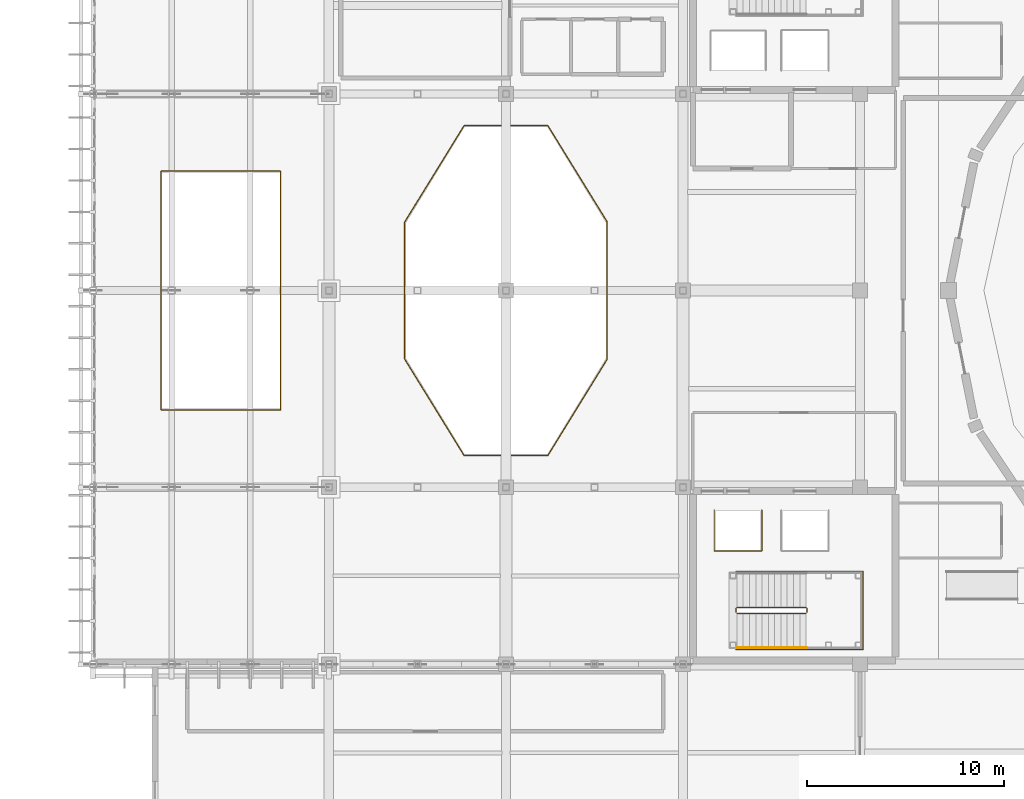
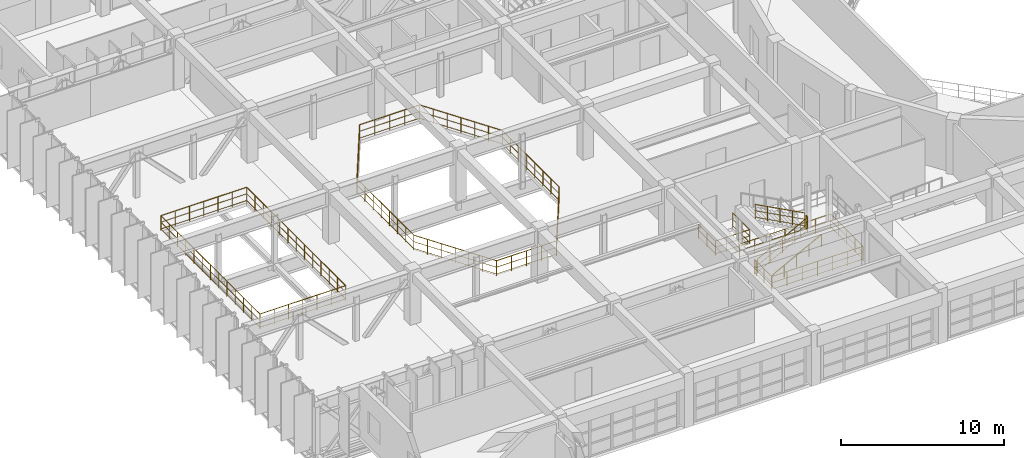
# One storey, part 122 of 130: 9 railings.
"""IFC4 building model written with IfcOpenShell, lengths in metres."""

import ifcopenshell
import ifcopenshell.guid

model = None  # the IFC model being written
_history = None  # IfcOwnerHistory: only IFC2X3 demands one
_inside = {}  # id of a spatial element -> (the spatial element, [elements in it])
_under = {}  # id of a project, library or spatial element -> (it, [spatial elements below it])
_declared = {}  # id of a project -> (the project, [libraries it declares])
_typed = {}  # id of a type object -> (the type object, [elements of that type])
_made_of = {}  # id of a material, layer set ... -> (it, [elements and type objects made of it])


def new_model(schema):
    """Start an empty IFC model of exactly this schema.

    Asked for "IFC4X3", IfcOpenShell would pick the latest addendum, in which some entities
    have other attributes; the version numbers below select the first issue.
    IFC2X3 requires an IfcOwnerHistory on every rooted entity: one is made here for all.
    """
    global model, _history
    if schema == "IFC4X3":
        model = ifcopenshell.file(schema_version=(4, 3, 0, 0))
    else:
        model = ifcopenshell.file(schema=schema)
    _inside.clear()
    _under.clear()
    _declared.clear()
    _typed.clear()
    _made_of.clear()
    _history = None
    if model.schema == "IFC2X3":
        org = make("IfcOrganization", Name="unknown")
        user = make(
            "IfcPersonAndOrganization",
            ThePerson=make("IfcPerson", FamilyName="unknown"),
            TheOrganization=org,
        )
        app = make(
            "IfcApplication",
            ApplicationDeveloper=org,
            Version="unknown",
            ApplicationFullName="unknown",
            ApplicationIdentifier="unknown",
        )
        _history = make(
            "IfcOwnerHistory",
            OwningUser=user,
            OwningApplication=app,
            ChangeAction="ADDED",
            CreationDate=0,
        )
    return model


def make(cls, **values):
    """One entity of the class cls with the attributes given. An attribute that is None is left unset."""
    return model.create_entity(
        cls, **{name: value for name, value in values.items() if value is not None}
    )


def rooted(cls, **values):
    """An entity with a GlobalId (a new one), such as an element, a storey or a relation."""
    return make(cls, GlobalId=ifcopenshell.guid.new(), OwnerHistory=_history, **values)


def si_unit(unit_type, name, prefix=None):
    """IfcSIUnit, for example si_unit("LENGTHUNIT", "METRE", prefix="MILLI")."""
    return make("IfcSIUnit", UnitType=unit_type, Prefix=prefix, Name=name)


def assignment(units):
    """IfcUnitAssignment: the units of a project."""
    return None if units is None else make("IfcUnitAssignment", Units=units)


def point(xyz):
    """IfcCartesianPoint."""
    return None if xyz is None else make("IfcCartesianPoint", Coordinates=xyz)


def direction(xyz):
    """IfcDirection."""
    return None if xyz is None else make("IfcDirection", DirectionRatios=xyz)


def frame(location, z_axis=None, x_axis=None):
    """IfcAxis2Placement3D, a coordinate frame: its origin and axes. An axis left out is left unset."""
    return make(
        "IfcAxis2Placement3D",
        Location=point(location),
        Axis=direction(z_axis),
        RefDirection=direction(x_axis),
    )


def frame_2d(location, x_axis=None):
    """IfcAxis2Placement2D, a coordinate frame in the plane: its origin and x axis."""
    return make(
        "IfcAxis2Placement2D", Location=point(location), RefDirection=direction(x_axis)
    )


def origin():
    """The frame at (0, 0, 0) with its axes left unset."""
    return frame((0.0, 0.0, 0.0))


def origin_2d():
    """The frame at (0, 0) in the plane with its x axis left unset."""
    return frame_2d((0.0, 0.0))


def place(relative_to, where):
    """IfcLocalPlacement: puts the frame where relative to a parent placement (None: the world)."""
    return make(
        "IfcLocalPlacement", PlacementRelTo=relative_to, RelativePlacement=where
    )


def context(
    kind, dimensions, precision=None, world=None, true_north=None, identifier=None
):
    """IfcGeometricRepresentationContext, for example the 3D "Model" context."""
    return make(
        "IfcGeometricRepresentationContext",
        ContextIdentifier=identifier,
        ContextType=kind,
        CoordinateSpaceDimension=dimensions,
        Precision=precision,
        WorldCoordinateSystem=world,
        TrueNorth=true_north,
    )


def subcontext(parent, identifier, kind, view, scale=None):
    """IfcGeometricRepresentationSubContext, for example "Body" below "Model"."""
    return make(
        "IfcGeometricRepresentationSubContext",
        ContextIdentifier=identifier,
        ContextType=kind,
        ParentContext=parent,
        TargetScale=scale,
        TargetView=view,
    )


def project(units=None, contexts=None):
    """IfcProject with its units and contexts."""
    return rooted(
        "IfcProject",
        Name="project",
        RepresentationContexts=contexts,
        UnitsInContext=assignment(units),
    )


def spatial(cls, under=None, at=None, **own):
    """A site, building, storey or space (cls), placed at a placement, below another one or the project."""
    s = rooted(cls, ObjectPlacement=at, **own)
    if under is not None:
        _under.setdefault(under.id(), (under, []))[1].append(s)
    return s


def profile(cls, at=None, kind="AREA", **sizes):
    """A parametric profile (cls). Its sizes go by their IFC names, for example OverallWidth=200.0."""
    return make(cls, ProfileType=kind, Position=at, **sizes)


def circle(**sizes):
    """IfcCircleProfileDef."""
    return profile("IfcCircleProfileDef", **sizes)


def extrude(swept, where, along, depth):
    """IfcExtrudedAreaSolid: the profile swept, set in the frame where, extruded along a direction by depth."""
    return make(
        "IfcExtrudedAreaSolid",
        SweptArea=swept,
        Position=where,
        ExtrudedDirection=direction(along),
        Depth=depth,
    )


def shape(context_of_items, identifier, shape_type, items):
    """IfcShapeRepresentation: the items that make up one representation, for example the "Body"."""
    return make(
        "IfcShapeRepresentation",
        ContextOfItems=context_of_items,
        RepresentationIdentifier=identifier,
        RepresentationType=shape_type,
        Items=items,
    )


def material(Name=None, Category=None):
    """IfcMaterial."""
    return make("IfcMaterial", Name=Name, Category=Category)


def made_of(thing, what):
    """Note that an element or type object is made of a material, layer set ...; save() writes the relation."""
    if what is not None:
        _made_of.setdefault(what.id(), (what, []))[1].append(thing)
    return thing


def type_object(cls, material=None, **own):
    """A type object (cls), such as IfcWallType, which elements share."""
    return made_of(rooted(cls, **own), material)


def element(
    cls,
    number,
    at=None,
    inside=None,
    cuts=None,
    type_object=None,
    material=None,
    context=None,
    identifier="Body",
    shape_type=None,
    held_by="IfcProductDefinitionShape",
    body=None,
    shapes=None,
    **own,
):
    """One element of the class cls, such as IfcWall. Its Tag is "e" and its number.

    at: its placement. inside: the storey or other place that contains it. cuts: it is an
    opening in that element (IfcRelVoidsElement). A single representation is given by context,
    identifier, shape_type and body (its items); several are given by shapes. held_by: the class
    of the entity that holds the representations. save() writes the other relations.
    """
    e = rooted(cls, Tag="e%d" % number, ObjectPlacement=at, **own)
    if body is not None:
        shapes = [shape(context, identifier, shape_type, body)]
    if shapes is not None:
        e.Representation = make(held_by, Representations=shapes)
    if inside is not None:
        _inside.setdefault(inside.id(), (inside, []))[1].append(e)
    if cuts is not None:
        rooted(
            "IfcRelVoidsElement", RelatingBuildingElement=cuts, RelatedOpeningElement=e
        )
    if type_object is not None:
        _typed.setdefault(type_object.id(), (type_object, []))[1].append(e)
    return made_of(e, material)


def aggregate(whole, parts):
    """IfcRelAggregates: a whole, such as a stair, and the parts it consists of."""
    return rooted("IfcRelAggregates", RelatingObject=whole, RelatedObjects=parts)


def save(model, path):
    """Write the relations noted so far, then the file.

    IfcRelAggregates (storeys below a building ...), IfcRelContainedInSpatialStructure (elements
    in a storey), IfcRelDefinesByType, IfcRelAssociatesMaterial and IfcRelDeclares: one each for
    every whole, place, type object, material and project.
    """
    for whole, parts in _under.values():
        aggregate(whole, parts)
    for where, things in _inside.values():
        rooted(
            "IfcRelContainedInSpatialStructure",
            RelatedElements=things,
            RelatingStructure=where,
        )
    for kind, things in _typed.values():
        rooted("IfcRelDefinesByType", RelatedObjects=things, RelatingType=kind)
    for what, things in _made_of.values():
        rooted("IfcRelAssociatesMaterial", RelatedObjects=things, RelatingMaterial=what)
    for by, libraries in _declared.values():
        rooted("IfcRelDeclares", RelatingContext=by, RelatedDefinitions=libraries)
    model.write(path)


model = new_model("IFC4")

# Units and contexts
model_context = context("Model", 3, precision=1e-05, world=origin(), true_north=direction((0.0, 1.0)))
body_context = subcontext(model_context, "Body", "Model", "MODEL_VIEW")
ifc_project = project(units=[si_unit("LENGTHUNIT", "METRE"), si_unit("AREAUNIT", "SQUARE_METRE"), si_unit("VOLUMEUNIT", "CUBIC_METRE"), si_unit("PLANEANGLEUNIT", "RADIAN"), si_unit("MASSUNIT", "GRAM", prefix="KILO")], contexts=[model_context])

# Site, building, storey
site_placement = place(None, origin())
site = spatial("IfcSite", under=ifc_project, at=site_placement, CompositionType="ELEMENT")
building_placement = place(site_placement, origin())
building = spatial("IfcBuilding", under=site, at=building_placement, Name="Miravela Opera House", CompositionType="ELEMENT")
storey_placement = place(building_placement, frame((0.0, 0.0, 9.52001953125)))
storey = spatial("IfcBuildingStorey", under=building, at=storey_placement, Name="L02", CompositionType="ELEMENT", Elevation=9.52001953125)

# Railings
ifc_material_1 = material(Name="Architectural bronze foyer balustrade")
railing_type_1 = type_object("IfcRailingType", Name="ARC-RAIL-ATRIUM-BAL", PredefinedType="BALUSTRADE", material=ifc_material_1)
railing_1_placement = place(storey_placement, frame((18.464111328125, 49.928466796875, 0.0)))
element("IfcRailing", 1, at=railing_1_placement, inside=storey, type_object=railing_type_1, Name="L02 Void Perimeter Balustrade 0158", PredefinedType="BALUSTRADE", context=body_context, shape_type="SweptSolid", body=[
    extrude(circle(Radius=0.02587890625, at=origin_2d()), frame((0.0, 0.0, 1.11376953125), z_axis=(1.0, 0.0, 0.0), x_axis=(0.0, 1.0, 0.0)), (0.0, 0.0, 1.0), 6.07177734375),
    extrude(circle(Radius=0.01611328125, at=origin_2d()), frame((0.0, 0.0, 0.626953125), z_axis=(1.0, 0.0, 0.0), x_axis=(0.0, 1.0, 0.0)), (0.0, 0.0, 1.0), 6.07177734375),
    extrude(circle(Radius=0.01611328125, at=origin_2d()), frame((0.0, 0.0, 0.1201171875), z_axis=(1.0, 0.0, 0.0), x_axis=(0.0, 1.0, 0.0)), (0.0, 0.0, 1.0), 6.07177734375),
    extrude(circle(Radius=0.02587890625, at=origin_2d()), frame((6.07177734375, 0.0, 1.11376953125), z_axis=(0.0, 1.0, 0.0), x_axis=(-1.0, 0.0, 0.0)), (0.0, 0.0, 1.0), 12.14306640625),
    extrude(circle(Radius=0.01611328125, at=origin_2d()), frame((6.07177734375, 0.0, 0.626953125), z_axis=(0.0, 1.0, 0.0), x_axis=(-1.0, 0.0, 0.0)), (0.0, 0.0, 1.0), 12.14306640625),
    extrude(circle(Radius=0.01611328125, at=origin_2d()), frame((6.07177734375, 0.0, 0.1201171875), z_axis=(0.0, 1.0, 0.0), x_axis=(-1.0, 0.0, 0.0)), (0.0, 0.0, 1.0), 12.14306640625),
    extrude(circle(Radius=0.02587890625, at=origin_2d()), frame((6.07177734375, 12.14306640625, 1.11376953125), z_axis=(-1.0, 0.0, 0.0), x_axis=(0.0, -1.0, 0.0)), (0.0, 0.0, 1.0), 6.07177734375),
    extrude(circle(Radius=0.01611328125, at=origin_2d()), frame((6.07177734375, 12.14306640625, 0.626953125), z_axis=(-1.0, 0.0, 0.0), x_axis=(0.0, -1.0, 0.0)), (0.0, 0.0, 1.0), 6.07177734375),
    extrude(circle(Radius=0.01611328125, at=origin_2d()), frame((6.07177734375, 12.14306640625, 0.1201171875), z_axis=(-1.0, 0.0, 0.0), x_axis=(0.0, -1.0, 0.0)), (0.0, 0.0, 1.0), 6.07177734375),
    extrude(circle(Radius=0.02587890625, at=origin_2d()), frame((0.0, 12.14306640625, 1.11376953125), z_axis=(0.0, -1.0, 0.0), x_axis=(1.0, 0.0, 0.0)), (0.0, 0.0, 1.0), 12.14306640625),
    extrude(circle(Radius=0.01611328125, at=origin_2d()), frame((0.0, 12.14306640625, 0.626953125), z_axis=(0.0, -1.0, 0.0), x_axis=(1.0, 0.0, 0.0)), (0.0, 0.0, 1.0), 12.14306640625),
    extrude(circle(Radius=0.01611328125, at=origin_2d()), frame((0.0, 12.14306640625, 0.1201171875), z_axis=(0.0, -1.0, 0.0), x_axis=(1.0, 0.0, 0.0)), (0.0, 0.0, 1.0), 12.14306640625),
    extrude(circle(Radius=0.02099609375, at=origin_2d()), origin(), (0.0, 0.0, 1.0), 1.087890625),
    extrude(circle(Radius=0.02099609375, at=origin_2d()), frame((1.011962890625, 0.0, 0.0)), (0.0, 0.0, 1.0), 1.087890625),
    extrude(circle(Radius=0.02099609375, at=origin_2d()), frame((2.02392578125, 0.0, 0.0)), (0.0, 0.0, 1.0), 1.087890625),
    extrude(circle(Radius=0.02099609375, at=origin_2d()), frame((3.035888671875, 0.0, 0.0)), (0.0, 0.0, 1.0), 1.087890625),
    extrude(circle(Radius=0.02099609375, at=origin_2d()), frame((4.0478515625, 0.0, 0.0)), (0.0, 0.0, 1.0), 1.087890625),
    extrude(circle(Radius=0.02099609375, at=origin_2d()), frame((5.059814453125, 0.0, 0.0)), (0.0, 0.0, 1.0), 1.087890625),
    extrude(circle(Radius=0.02099609375, at=origin_2d()), frame((6.07177734375, 0.0, 0.0)), (0.0, 0.0, 1.0), 1.087890625),
    extrude(circle(Radius=0.02099609375, at=origin_2d()), frame((6.07177734375, 1.011962890625, 0.0)), (0.0, 0.0, 1.0), 1.087890625),
    extrude(circle(Radius=0.02099609375, at=origin_2d()), frame((6.07177734375, 2.02392578125, 0.0)), (0.0, 0.0, 1.0), 1.087890625),
    extrude(circle(Radius=0.02099609375, at=origin_2d()), frame((6.07177734375, 3.03564453125, 0.0)), (0.0, 0.0, 1.0), 1.087890625),
    extrude(circle(Radius=0.02099609375, at=origin_2d()), frame((6.07177734375, 4.047607421875, 0.0)), (0.0, 0.0, 1.0), 1.087890625),
    extrude(circle(Radius=0.02099609375, at=origin_2d()), frame((6.07177734375, 5.0595703125, 0.0)), (0.0, 0.0, 1.0), 1.087890625),
    extrude(circle(Radius=0.02099609375, at=origin_2d()), frame((6.07177734375, 6.071533203125, 0.0)), (0.0, 0.0, 1.0), 1.087890625),
    extrude(circle(Radius=0.02099609375, at=origin_2d()), frame((6.07177734375, 7.08349609375, 0.0)), (0.0, 0.0, 1.0), 1.087890625),
    extrude(circle(Radius=0.02099609375, at=origin_2d()), frame((6.07177734375, 8.095458984375, 0.0)), (0.0, 0.0, 1.0), 1.087890625),
    extrude(circle(Radius=0.02099609375, at=origin_2d()), frame((6.07177734375, 9.107421875, 0.0)), (0.0, 0.0, 1.0), 1.087890625),
    extrude(circle(Radius=0.02099609375, at=origin_2d()), frame((6.07177734375, 10.119140625, 0.0)), (0.0, 0.0, 1.0), 1.087890625),
    extrude(circle(Radius=0.02099609375, at=origin_2d()), frame((6.07177734375, 11.131103515625, 0.0)), (0.0, 0.0, 1.0), 1.087890625),
    extrude(circle(Radius=0.02099609375, at=origin_2d()), frame((6.07177734375, 12.14306640625, 0.0)), (0.0, 0.0, 1.0), 1.087890625),
    extrude(circle(Radius=0.02099609375, at=origin_2d()), frame((5.059814453125, 12.14306640625, 0.0)), (0.0, 0.0, 1.0), 1.087890625),
    extrude(circle(Radius=0.02099609375, at=origin_2d()), frame((4.0478515625, 12.14306640625, 0.0)), (0.0, 0.0, 1.0), 1.087890625),
    extrude(circle(Radius=0.02099609375, at=origin_2d()), frame((3.035888671875, 12.14306640625, 0.0)), (0.0, 0.0, 1.0), 1.087890625),
    extrude(circle(Radius=0.02099609375, at=origin_2d()), frame((2.02392578125, 12.14306640625, 0.0)), (0.0, 0.0, 1.0), 1.087890625),
    extrude(circle(Radius=0.02099609375, at=origin_2d()), frame((1.011962890625, 12.14306640625, 0.0)), (0.0, 0.0, 1.0), 1.087890625),
    extrude(circle(Radius=0.02099609375, at=origin_2d()), frame((0.0, 12.14306640625, 0.0)), (0.0, 0.0, 1.0), 1.087890625),
    extrude(circle(Radius=0.02099609375, at=origin_2d()), frame((0.0, 11.131103515625, 0.0)), (0.0, 0.0, 1.0), 1.087890625),
    extrude(circle(Radius=0.02099609375, at=origin_2d()), frame((0.0, 10.119140625, 0.0)), (0.0, 0.0, 1.0), 1.087890625),
    extrude(circle(Radius=0.02099609375, at=origin_2d()), frame((0.0, 9.107421875, 0.0)), (0.0, 0.0, 1.0), 1.087890625),
    extrude(circle(Radius=0.02099609375, at=origin_2d()), frame((0.0, 8.095458984375, 0.0)), (0.0, 0.0, 1.0), 1.087890625),
    extrude(circle(Radius=0.02099609375, at=origin_2d()), frame((0.0, 7.08349609375, 0.0)), (0.0, 0.0, 1.0), 1.087890625),
    extrude(circle(Radius=0.02099609375, at=origin_2d()), frame((0.0, 6.071533203125, 0.0)), (0.0, 0.0, 1.0), 1.087890625),
    extrude(circle(Radius=0.02099609375, at=origin_2d()), frame((0.0, 5.0595703125, 0.0)), (0.0, 0.0, 1.0), 1.087890625),
    extrude(circle(Radius=0.02099609375, at=origin_2d()), frame((0.0, 4.047607421875, 0.0)), (0.0, 0.0, 1.0), 1.087890625),
    extrude(circle(Radius=0.02099609375, at=origin_2d()), frame((0.0, 3.03564453125, 0.0)), (0.0, 0.0, 1.0), 1.087890625),
    extrude(circle(Radius=0.02099609375, at=origin_2d()), frame((0.0, 2.02392578125, 0.0)), (0.0, 0.0, 1.0), 1.087890625),
    extrude(circle(Radius=0.02099609375, at=origin_2d()), frame((0.0, 1.011962890625, 0.0)), (0.0, 0.0, 1.0), 1.087890625),
])
railing_2_placement = place(storey_placement, frame((41.1474609375, 59.489013671875, 0.0)))
element("IfcRailing", 2, at=railing_2_placement, inside=storey, type_object=railing_type_1, Name="L02 Void Perimeter Balustrade 0159", PredefinedType="BALUSTRADE", context=body_context, shape_type="SweptSolid", body=[
    extrude(circle(Radius=0.02587890625, at=origin_2d()), frame((0.0, 0.0, 1.11376953125), z_axis=(-0.524773552974, 0.851241868154, 0.0), x_axis=(-0.851241868154, -0.524773552974, 0.0)), (0.0, 0.0, 1.0), 5.760498046875),
    extrude(circle(Radius=0.01611328125, at=origin_2d()), frame((0.0, 0.0, 0.626953125), z_axis=(-0.524773552974, 0.851241868154, 0.0), x_axis=(-0.851241868154, -0.524773552974, 0.0)), (0.0, 0.0, 1.0), 5.760498046875),
    extrude(circle(Radius=0.01611328125, at=origin_2d()), frame((0.0, 0.0, 0.1201171875), z_axis=(-0.524773552974, 0.851241868154, 0.0), x_axis=(-0.851241868154, -0.524773552974, 0.0)), (0.0, 0.0, 1.0), 5.760498046875),
    extrude(circle(Radius=0.02587890625, at=origin_2d()), frame((-3.02294921875, 4.903564453125, 1.11376953125), z_axis=(-1.0, 0.0, 0.0), x_axis=(0.0, -1.0, 0.0)), (0.0, 0.0, 1.0), 4.2490234375),
    extrude(circle(Radius=0.01611328125, at=origin_2d()), frame((-3.02294921875, 4.903564453125, 0.626953125), z_axis=(-1.0, 0.0, 0.0), x_axis=(0.0, -1.0, 0.0)), (0.0, 0.0, 1.0), 4.2490234375),
    extrude(circle(Radius=0.01611328125, at=origin_2d()), frame((-3.02294921875, 4.903564453125, 0.1201171875), z_axis=(-1.0, 0.0, 0.0), x_axis=(0.0, -1.0, 0.0)), (0.0, 0.0, 1.0), 4.2490234375),
    extrude(circle(Radius=0.02587890625, at=origin_2d()), frame((-7.27197265625, 4.903564453125, 1.11376953125), z_axis=(-0.524773552974, -0.851241868154, 0.0), x_axis=(0.851241868154, -0.524773552974, 0.0)), (0.0, 0.0, 1.0), 5.760498046875),
    extrude(circle(Radius=0.01611328125, at=origin_2d()), frame((-7.27197265625, 4.903564453125, 0.626953125), z_axis=(-0.524773552974, -0.851241868154, 0.0), x_axis=(0.851241868154, -0.524773552974, 0.0)), (0.0, 0.0, 1.0), 5.760498046875),
    extrude(circle(Radius=0.01611328125, at=origin_2d()), frame((-7.27197265625, 4.903564453125, 0.1201171875), z_axis=(-0.524773552974, -0.851241868154, 0.0), x_axis=(0.851241868154, -0.524773552974, 0.0)), (0.0, 0.0, 1.0), 5.760498046875),
    extrude(circle(Radius=0.02587890625, at=origin_2d()), frame((-10.294921875, 0.0, 1.11376953125), z_axis=(0.0, -1.0, 0.0), x_axis=(1.0, 0.0, 0.0)), (0.0, 0.0, 1.0), 6.97802734375),
    extrude(circle(Radius=0.01611328125, at=origin_2d()), frame((-10.294921875, 0.0, 0.626953125), z_axis=(0.0, -1.0, 0.0), x_axis=(1.0, 0.0, 0.0)), (0.0, 0.0, 1.0), 6.97802734375),
    extrude(circle(Radius=0.01611328125, at=origin_2d()), frame((-10.294921875, 0.0, 0.1201171875), z_axis=(0.0, -1.0, 0.0), x_axis=(1.0, 0.0, 0.0)), (0.0, 0.0, 1.0), 6.97802734375),
    extrude(circle(Radius=0.02587890625, at=origin_2d()), frame((-10.294921875, -6.97802734375, 1.11376953125), z_axis=(0.524773552974, -0.851241868154, 0.0), x_axis=(0.851241868154, 0.524773552974, 0.0)), (0.0, 0.0, 1.0), 5.760498046875),
    extrude(circle(Radius=0.01611328125, at=origin_2d()), frame((-10.294921875, -6.97802734375, 0.626953125), z_axis=(0.524773552974, -0.851241868154, 0.0), x_axis=(0.851241868154, 0.524773552974, 0.0)), (0.0, 0.0, 1.0), 5.760498046875),
    extrude(circle(Radius=0.01611328125, at=origin_2d()), frame((-10.294921875, -6.97802734375, 0.1201171875), z_axis=(0.524773552974, -0.851241868154, 0.0), x_axis=(0.851241868154, 0.524773552974, 0.0)), (0.0, 0.0, 1.0), 5.760498046875),
    extrude(circle(Radius=0.02587890625, at=origin_2d()), frame((-7.27197265625, -11.881591796875, 1.11376953125), z_axis=(1.0, 0.0, 0.0), x_axis=(0.0, 1.0, 0.0)), (0.0, 0.0, 1.0), 4.2490234375),
    extrude(circle(Radius=0.01611328125, at=origin_2d()), frame((-7.27197265625, -11.881591796875, 0.626953125), z_axis=(1.0, 0.0, 0.0), x_axis=(0.0, 1.0, 0.0)), (0.0, 0.0, 1.0), 4.2490234375),
    extrude(circle(Radius=0.01611328125, at=origin_2d()), frame((-7.27197265625, -11.881591796875, 0.1201171875), z_axis=(1.0, 0.0, 0.0), x_axis=(0.0, 1.0, 0.0)), (0.0, 0.0, 1.0), 4.2490234375),
    extrude(circle(Radius=0.02587890625, at=origin_2d()), frame((-3.02294921875, -11.881591796875, 1.11376953125), z_axis=(0.524773552974, 0.851241868154, 0.0), x_axis=(-0.851241868154, 0.524773552974, 0.0)), (0.0, 0.0, 1.0), 5.760498046875),
    extrude(circle(Radius=0.01611328125, at=origin_2d()), frame((-3.02294921875, -11.881591796875, 0.626953125), z_axis=(0.524773552974, 0.851241868154, 0.0), x_axis=(-0.851241868154, 0.524773552974, 0.0)), (0.0, 0.0, 1.0), 5.760498046875),
    extrude(circle(Radius=0.01611328125, at=origin_2d()), frame((-3.02294921875, -11.881591796875, 0.1201171875), z_axis=(0.524773552974, 0.851241868154, 0.0), x_axis=(-0.851241868154, 0.524773552974, 0.0)), (0.0, 0.0, 1.0), 5.760498046875),
    extrude(circle(Radius=0.02587890625, at=origin_2d()), frame((0.0, -6.97802734375, 1.11376953125), z_axis=(0.0, 1.0, 0.0), x_axis=(-1.0, 0.0, 0.0)), (0.0, 0.0, 1.0), 6.97802734375),
    extrude(circle(Radius=0.01611328125, at=origin_2d()), frame((0.0, -6.97802734375, 0.626953125), z_axis=(0.0, 1.0, 0.0), x_axis=(-1.0, 0.0, 0.0)), (0.0, 0.0, 1.0), 6.97802734375),
    extrude(circle(Radius=0.01611328125, at=origin_2d()), frame((0.0, -6.97802734375, 0.1201171875), z_axis=(0.0, 1.0, 0.0), x_axis=(-1.0, 0.0, 0.0)), (0.0, 0.0, 1.0), 6.97802734375),
    extrude(circle(Radius=0.02099609375, at=origin_2d()), origin(), (0.0, 0.0, 1.0), 1.087890625),
    extrude(circle(Radius=0.02099609375, at=origin_2d()), frame((-0.50390625, 0.8173828125, 0.0)), (0.0, 0.0, 1.0), 1.087890625),
    extrude(circle(Radius=0.02099609375, at=origin_2d()), frame((-1.007568359375, 1.634521484375, 0.0)), (0.0, 0.0, 1.0), 1.087890625),
    extrude(circle(Radius=0.02099609375, at=origin_2d()), frame((-1.511474609375, 2.45166015625, 0.0)), (0.0, 0.0, 1.0), 1.087890625),
    extrude(circle(Radius=0.02099609375, at=origin_2d()), frame((-2.015380859375, 3.26904296875, 0.0)), (0.0, 0.0, 1.0), 1.087890625),
    extrude(circle(Radius=0.02099609375, at=origin_2d()), frame((-2.51904296875, 4.08642578125, 0.0)), (0.0, 0.0, 1.0), 1.087890625),
    extrude(circle(Radius=0.02099609375, at=origin_2d()), frame((-3.02294921875, 4.903564453125, 0.0)), (0.0, 0.0, 1.0), 1.087890625),
    extrude(circle(Radius=0.02099609375, at=origin_2d()), frame((-4.085205078125, 4.903564453125, 0.0)), (0.0, 0.0, 1.0), 1.087890625),
    extrude(circle(Radius=0.02099609375, at=origin_2d()), frame((-5.1474609375, 4.903564453125, 0.0)), (0.0, 0.0, 1.0), 1.087890625),
    extrude(circle(Radius=0.02099609375, at=origin_2d()), frame((-6.209716796875, 4.903564453125, 0.0)), (0.0, 0.0, 1.0), 1.087890625),
    extrude(circle(Radius=0.02099609375, at=origin_2d()), frame((-7.27197265625, 4.903564453125, 0.0)), (0.0, 0.0, 1.0), 1.087890625),
    extrude(circle(Radius=0.02099609375, at=origin_2d()), frame((-7.77587890625, 4.08642578125, 0.0)), (0.0, 0.0, 1.0), 1.087890625),
    extrude(circle(Radius=0.02099609375, at=origin_2d()), frame((-8.279541015625, 3.26904296875, 0.0)), (0.0, 0.0, 1.0), 1.087890625),
    extrude(circle(Radius=0.02099609375, at=origin_2d()), frame((-8.783447265625, 2.45166015625, 0.0)), (0.0, 0.0, 1.0), 1.087890625),
    extrude(circle(Radius=0.02099609375, at=origin_2d()), frame((-9.287353515625, 1.634521484375, 0.0)), (0.0, 0.0, 1.0), 1.087890625),
    extrude(circle(Radius=0.02099609375, at=origin_2d()), frame((-9.791015625, 0.8173828125, 0.0)), (0.0, 0.0, 1.0), 1.087890625),
    extrude(circle(Radius=0.02099609375, at=origin_2d()), frame((-10.294921875, 0.0, 0.0)), (0.0, 0.0, 1.0), 1.087890625),
    extrude(circle(Radius=0.02099609375, at=origin_2d()), frame((-10.294921875, -0.996826171875, 0.0)), (0.0, 0.0, 1.0), 1.087890625),
    extrude(circle(Radius=0.02099609375, at=origin_2d()), frame((-10.294921875, -1.99365234375, 0.0)), (0.0, 0.0, 1.0), 1.087890625),
    extrude(circle(Radius=0.02099609375, at=origin_2d()), frame((-10.294921875, -2.990478515625, 0.0)), (0.0, 0.0, 1.0), 1.087890625),
    extrude(circle(Radius=0.02099609375, at=origin_2d()), frame((-10.294921875, -3.987548828125, 0.0)), (0.0, 0.0, 1.0), 1.087890625),
    extrude(circle(Radius=0.02099609375, at=origin_2d()), frame((-10.294921875, -4.984375, 0.0)), (0.0, 0.0, 1.0), 1.087890625),
    extrude(circle(Radius=0.02099609375, at=origin_2d()), frame((-10.294921875, -5.981201171875, 0.0)), (0.0, 0.0, 1.0), 1.087890625),
    extrude(circle(Radius=0.02099609375, at=origin_2d()), frame((-10.294921875, -6.97802734375, 0.0)), (0.0, 0.0, 1.0), 1.087890625),
    extrude(circle(Radius=0.02099609375, at=origin_2d()), frame((-9.791015625, -7.79541015625, 0.0)), (0.0, 0.0, 1.0), 1.087890625),
    extrude(circle(Radius=0.02099609375, at=origin_2d()), frame((-9.287353515625, -8.612548828125, 0.0)), (0.0, 0.0, 1.0), 1.087890625),
    extrude(circle(Radius=0.02099609375, at=origin_2d()), frame((-8.783447265625, -9.4296875, 0.0)), (0.0, 0.0, 1.0), 1.087890625),
    extrude(circle(Radius=0.02099609375, at=origin_2d()), frame((-8.279541015625, -10.2470703125, 0.0)), (0.0, 0.0, 1.0), 1.087890625),
    extrude(circle(Radius=0.02099609375, at=origin_2d()), frame((-7.77587890625, -11.064453125, 0.0)), (0.0, 0.0, 1.0), 1.087890625),
    extrude(circle(Radius=0.02099609375, at=origin_2d()), frame((-7.27197265625, -11.881591796875, 0.0)), (0.0, 0.0, 1.0), 1.087890625),
    extrude(circle(Radius=0.02099609375, at=origin_2d()), frame((-6.209716796875, -11.881591796875, 0.0)), (0.0, 0.0, 1.0), 1.087890625),
    extrude(circle(Radius=0.02099609375, at=origin_2d()), frame((-5.1474609375, -11.881591796875, 0.0)), (0.0, 0.0, 1.0), 1.087890625),
    extrude(circle(Radius=0.02099609375, at=origin_2d()), frame((-4.085205078125, -11.881591796875, 0.0)), (0.0, 0.0, 1.0), 1.087890625),
    extrude(circle(Radius=0.02099609375, at=origin_2d()), frame((-3.02294921875, -11.881591796875, 0.0)), (0.0, 0.0, 1.0), 1.087890625),
    extrude(circle(Radius=0.02099609375, at=origin_2d()), frame((-2.51904296875, -11.064453125, 0.0)), (0.0, 0.0, 1.0), 1.087890625),
    extrude(circle(Radius=0.02099609375, at=origin_2d()), frame((-2.015380859375, -10.2470703125, 0.0)), (0.0, 0.0, 1.0), 1.087890625),
    extrude(circle(Radius=0.02099609375, at=origin_2d()), frame((-1.511474609375, -9.4296875, 0.0)), (0.0, 0.0, 1.0), 1.087890625),
    extrude(circle(Radius=0.02099609375, at=origin_2d()), frame((-1.007568359375, -8.612548828125, 0.0)), (0.0, 0.0, 1.0), 1.087890625),
    extrude(circle(Radius=0.02099609375, at=origin_2d()), frame((-0.50390625, -7.79541015625, 0.0)), (0.0, 0.0, 1.0), 1.087890625),
    extrude(circle(Radius=0.02099609375, at=origin_2d()), frame((0.0, -6.97802734375, 0.0)), (0.0, 0.0, 1.0), 1.087890625),
    extrude(circle(Radius=0.02099609375, at=origin_2d()), frame((0.0, -5.981201171875, 0.0)), (0.0, 0.0, 1.0), 1.087890625),
    extrude(circle(Radius=0.02099609375, at=origin_2d()), frame((0.0, -4.984375, 0.0)), (0.0, 0.0, 1.0), 1.087890625),
    extrude(circle(Radius=0.02099609375, at=origin_2d()), frame((0.0, -3.987548828125, 0.0)), (0.0, 0.0, 1.0), 1.087890625),
    extrude(circle(Radius=0.02099609375, at=origin_2d()), frame((0.0, -2.990478515625, 0.0)), (0.0, 0.0, 1.0), 1.087890625),
    extrude(circle(Radius=0.02099609375, at=origin_2d()), frame((0.0, -1.99365234375, 0.0)), (0.0, 0.0, 1.0), 1.087890625),
    extrude(circle(Radius=0.02099609375, at=origin_2d()), frame((0.0, -0.996826171875, 0.0)), (0.0, 0.0, 1.0), 1.087890625),
])
ifc_material_2 = material(Name="Brushed bronze continuous stair handrail")
railing_type_2 = type_object("IfcRailingType", Name="ARC-RAIL-HAND-900", PredefinedType="HANDRAIL", material=ifc_material_2)
railing_3_placement = place(storey_placement, frame((47.739990234375, 37.85009765625, 0.169921875)))
element("IfcRailing", 3, at=railing_3_placement, inside=storey, type_object=railing_type_2, Name="L02 ST-02 stair handrail 1", PredefinedType="HANDRAIL", context=body_context, shape_type="SweptSolid", body=[
    extrude(circle(Radius=0.02392578125, at=origin_2d()), frame((0.0, 0.0, 0.8759765625), z_axis=(0.883104616746, 0.0, 0.469176124586), x_axis=(0.0, 1.0, 0.0)), (0.0, 0.0, 1.0), 3.98583984375),
    extrude(circle(Radius=0.02099609375, at=origin_2d()), origin(), (0.0, 0.0, 1.0), 0.851806640625),
    extrude(circle(Radius=0.02099609375, at=origin_2d()), frame((0.8798828125, 0.0, 0.467529296875)), (0.0, 0.0, 1.0), 0.851806640625),
    extrude(circle(Radius=0.02099609375, at=origin_2d()), frame((1.760009765625, 0.0, 0.93505859375)), (0.0, 0.0, 1.0), 0.851806640625),
    extrude(circle(Radius=0.02099609375, at=origin_2d()), frame((2.64013671875, 0.0, 1.402587890625)), (0.0, 0.0, 1.0), 0.851806640625),
    extrude(circle(Radius=0.02099609375, at=origin_2d()), frame((3.52001953125, 0.0, 1.8701171875)), (0.0, 0.0, 1.0), 0.851806640625),
])
ifc_material_3 = material(Name="Painted wrought-iron stair guardrail")
railing_type_3 = type_object("IfcRailingType", Name="ARC-RAIL-STAIR-GUARD", PredefinedType="GUARDRAIL", material=ifc_material_3)
railing_4_placement = place(storey_placement, frame((47.739990234375, 39.590087890625, 0.169921875)))
element("IfcRailing", 4, at=railing_4_placement, inside=storey, type_object=railing_type_3, Name="L02 ST-02 stair guard 1", PredefinedType="GUARDRAIL", context=body_context, shape_type="SweptSolid", body=[
    extrude(circle(Radius=0.02392578125, at=origin_2d()), frame((0.0, 0.0, 1.076171875), z_axis=(0.883104616746, 0.0, 0.469176124586), x_axis=(0.0, 1.0, 0.0)), (0.0, 0.0, 1.0), 3.98583984375),
    extrude(circle(Radius=0.01611328125, at=origin_2d()), frame((0.0, 0.0, 0.60498046875), z_axis=(0.883104616746, 0.0, 0.469176124586), x_axis=(0.0, 1.0, 0.0)), (0.0, 0.0, 1.0), 3.98583984375),
    extrude(circle(Radius=0.01611328125, at=origin_2d()), frame((0.0, 0.0, 0.1201171875), z_axis=(0.883104616746, 0.0, 0.469176124586), x_axis=(0.0, 1.0, 0.0)), (0.0, 0.0, 1.0), 3.98583984375),
    extrude(circle(Radius=0.02099609375, at=origin_2d()), origin(), (0.0, 0.0, 1.0), 1.052001953125),
    extrude(circle(Radius=0.02099609375, at=origin_2d()), frame((0.8798828125, 0.0, 0.467529296875)), (0.0, 0.0, 1.0), 1.052001953125),
    extrude(circle(Radius=0.02099609375, at=origin_2d()), frame((1.760009765625, 0.0, 0.93505859375)), (0.0, 0.0, 1.0), 1.052001953125),
    extrude(circle(Radius=0.02099609375, at=origin_2d()), frame((2.64013671875, 0.0, 1.402587890625)), (0.0, 0.0, 1.0), 1.052001953125),
    extrude(circle(Radius=0.02099609375, at=origin_2d()), frame((3.52001953125, 0.0, 1.8701171875)), (0.0, 0.0, 1.0), 1.052001953125),
])
railing_5_placement = place(storey_placement, frame((51.31005859375, 39.639892578125, 2.0400390625)))
element("IfcRailing", 5, at=railing_5_placement, inside=storey, type_object=railing_type_3, Name="L02 ST-02 stair guard 2", PredefinedType="GUARDRAIL", context=body_context, shape_type="SweptSolid", body=[
    extrude(circle(Radius=0.02392578125, at=origin_2d()), frame((0.0, 0.0, 1.076171875), z_axis=(0.0, 1.0, 0.0), x_axis=(-1.0, 0.0, 0.0)), (0.0, 0.0, 1.0), 0.2001953125),
    extrude(circle(Radius=0.01611328125, at=origin_2d()), frame((0.0, 0.0, 0.60498046875), z_axis=(0.0, 1.0, 0.0), x_axis=(-1.0, 0.0, 0.0)), (0.0, 0.0, 1.0), 0.2001953125),
    extrude(circle(Radius=0.01611328125, at=origin_2d()), frame((0.0, 0.0, 0.1201171875), z_axis=(0.0, 1.0, 0.0), x_axis=(-1.0, 0.0, 0.0)), (0.0, 0.0, 1.0), 0.2001953125),
    extrude(circle(Radius=0.02099609375, at=origin_2d()), origin(), (0.0, 0.0, 1.0), 1.052001953125),
    extrude(circle(Radius=0.02099609375, at=origin_2d()), frame((0.0, 0.2001953125, 0.0)), (0.0, 0.0, 1.0), 1.052001953125),
])
railing_6_placement = place(storey_placement, frame((51.260009765625, 39.889892578125, 2.2099609375)))
element("IfcRailing", 6, at=railing_6_placement, inside=storey, type_object=railing_type_3, Name="L02 ST-02 stair guard 3", PredefinedType="GUARDRAIL", context=body_context, shape_type="SweptSolid", body=[
    extrude(circle(Radius=0.02392578125, at=origin_2d()), frame((0.0, 0.0, 1.076171875), z_axis=(-0.883104616746, 0.0, 0.469176124586), x_axis=(0.0, -1.0, 0.0)), (0.0, 0.0, 1.0), 3.98583984375),
    extrude(circle(Radius=0.01611328125, at=origin_2d()), frame((0.0, 0.0, 0.60498046875), z_axis=(-0.883104616746, 0.0, 0.469176124586), x_axis=(0.0, -1.0, 0.0)), (0.0, 0.0, 1.0), 3.98583984375),
    extrude(circle(Radius=0.01611328125, at=origin_2d()), frame((0.0, 0.0, 0.1201171875), z_axis=(-0.883104616746, 0.0, 0.469176124586), x_axis=(0.0, -1.0, 0.0)), (0.0, 0.0, 1.0), 3.98583984375),
    extrude(circle(Radius=0.02099609375, at=origin_2d()), origin(), (0.0, 0.0, 1.0), 1.052001953125),
    extrude(circle(Radius=0.02099609375, at=origin_2d()), frame((-0.8798828125, 0.0, 0.467529296875)), (0.0, 0.0, 1.0), 1.052001953125),
    extrude(circle(Radius=0.02099609375, at=origin_2d()), frame((-1.760009765625, 0.0, 0.93505859375)), (0.0, 0.0, 1.0), 1.052001953125),
    extrude(circle(Radius=0.02099609375, at=origin_2d()), frame((-2.64013671875, 0.0, 1.402587890625)), (0.0, 0.0, 1.0), 1.052001953125),
    extrude(circle(Radius=0.02099609375, at=origin_2d()), frame((-3.52001953125, 0.0, 1.8701171875)), (0.0, 0.0, 1.0), 1.052001953125),
])
railing_7_placement = place(storey_placement, frame((47.68994140625, 39.639892578125, 0.0)))
element("IfcRailing", 7, at=railing_7_placement, inside=storey, type_object=railing_type_3, Name="L02 ST-02 stair guard 4", PredefinedType="GUARDRAIL", context=body_context, shape_type="SweptSolid", body=[
    extrude(circle(Radius=0.02392578125, at=origin_2d()), frame((0.0, 0.0, 1.076171875), z_axis=(0.0, 1.0, 0.0), x_axis=(-1.0, 0.0, 0.0)), (0.0, 0.0, 1.0), 0.2001953125),
    extrude(circle(Radius=0.01611328125, at=origin_2d()), frame((0.0, 0.0, 0.60498046875), z_axis=(0.0, 1.0, 0.0), x_axis=(-1.0, 0.0, 0.0)), (0.0, 0.0, 1.0), 0.2001953125),
    extrude(circle(Radius=0.01611328125, at=origin_2d()), frame((0.0, 0.0, 0.1201171875), z_axis=(0.0, 1.0, 0.0), x_axis=(-1.0, 0.0, 0.0)), (0.0, 0.0, 1.0), 0.2001953125),
    extrude(circle(Radius=0.02099609375, at=origin_2d()), origin(), (0.0, 0.0, 1.0), 1.052001953125),
    extrude(circle(Radius=0.02099609375, at=origin_2d()), frame((0.0, 0.2001953125, 0.0)), (0.0, 0.0, 1.0), 1.052001953125),
])
railing_8_placement = place(storey_placement, frame((47.68994140625, 39.669921875, 0.0)))
element("IfcRailing", 8, at=railing_8_placement, inside=storey, type_object=railing_type_3, Name="Stair ST-02 Well Slab Opening Guard (L02) 0021", PredefinedType="GUARDRAIL", context=body_context, shape_type="SweptSolid", body=[
    extrude(circle(Radius=0.02392578125, at=origin_2d()), frame((0.0, 0.0, 1.076171875), z_axis=(0.0, -1.0, 0.0), x_axis=(1.0, 0.0, 0.0)), (0.0, 0.0, 1.0), 1.919921875),
    extrude(circle(Radius=0.01611328125, at=origin_2d()), frame((0.0, 0.0, 0.60498046875), z_axis=(0.0, -1.0, 0.0), x_axis=(1.0, 0.0, 0.0)), (0.0, 0.0, 1.0), 1.919921875),
    extrude(circle(Radius=0.01611328125, at=origin_2d()), frame((0.0, 0.0, 0.1201171875), z_axis=(0.0, -1.0, 0.0), x_axis=(1.0, 0.0, 0.0)), (0.0, 0.0, 1.0), 1.919921875),
    extrude(circle(Radius=0.02392578125, at=origin_2d()), frame((0.0, -1.919921875, 1.076171875), z_axis=(1.0, 0.0, 0.0), x_axis=(0.0, 1.0, 0.0)), (0.0, 0.0, 1.0), 6.4599609375),
    extrude(circle(Radius=0.01611328125, at=origin_2d()), frame((0.0, -1.919921875, 0.60498046875), z_axis=(1.0, 0.0, 0.0), x_axis=(0.0, 1.0, 0.0)), (0.0, 0.0, 1.0), 6.4599609375),
    extrude(circle(Radius=0.01611328125, at=origin_2d()), frame((0.0, -1.919921875, 0.1201171875), z_axis=(1.0, 0.0, 0.0), x_axis=(0.0, 1.0, 0.0)), (0.0, 0.0, 1.0), 6.4599609375),
    extrude(circle(Radius=0.02392578125, at=origin_2d()), frame((6.4599609375, -1.919921875, 1.076171875), z_axis=(0.0, 1.0, 0.0), x_axis=(-1.0, 0.0, 0.0)), (0.0, 0.0, 1.0), 3.97998046875),
    extrude(circle(Radius=0.01611328125, at=origin_2d()), frame((6.4599609375, -1.919921875, 0.60498046875), z_axis=(0.0, 1.0, 0.0), x_axis=(-1.0, 0.0, 0.0)), (0.0, 0.0, 1.0), 3.97998046875),
    extrude(circle(Radius=0.01611328125, at=origin_2d()), frame((6.4599609375, -1.919921875, 0.1201171875), z_axis=(0.0, 1.0, 0.0), x_axis=(-1.0, 0.0, 0.0)), (0.0, 0.0, 1.0), 3.97998046875),
    extrude(circle(Radius=0.02392578125, at=origin_2d()), frame((6.4599609375, 2.06005859375, 1.076171875), z_axis=(-1.0, 0.0, 0.0), x_axis=(0.0, -1.0, 0.0)), (0.0, 0.0, 1.0), 6.4599609375),
    extrude(circle(Radius=0.01611328125, at=origin_2d()), frame((6.4599609375, 2.06005859375, 0.60498046875), z_axis=(-1.0, 0.0, 0.0), x_axis=(0.0, -1.0, 0.0)), (0.0, 0.0, 1.0), 6.4599609375),
    extrude(circle(Radius=0.01611328125, at=origin_2d()), frame((6.4599609375, 2.06005859375, 0.1201171875), z_axis=(-1.0, 0.0, 0.0), x_axis=(0.0, -1.0, 0.0)), (0.0, 0.0, 1.0), 6.4599609375),
    extrude(circle(Radius=0.02099609375, at=origin_2d()), origin(), (0.0, 0.0, 1.0), 1.052001953125),
    extrude(circle(Radius=0.02099609375, at=origin_2d()), frame((0.0, -0.9599609375, 0.0)), (0.0, 0.0, 1.0), 1.052001953125),
    extrude(circle(Radius=0.02099609375, at=origin_2d()), frame((0.0, -1.919921875, 0.0)), (0.0, 0.0, 1.0), 1.052001953125),
    extrude(circle(Radius=0.02099609375, at=origin_2d()), frame((1.07666015625, -1.919921875, 0.0)), (0.0, 0.0, 1.0), 1.052001953125),
    extrude(circle(Radius=0.02099609375, at=origin_2d()), frame((2.1533203125, -1.919921875, 0.0)), (0.0, 0.0, 1.0), 1.052001953125),
    extrude(circle(Radius=0.02099609375, at=origin_2d()), frame((3.22998046875, -1.919921875, 0.0)), (0.0, 0.0, 1.0), 1.052001953125),
    extrude(circle(Radius=0.02099609375, at=origin_2d()), frame((4.306640625, -1.919921875, 0.0)), (0.0, 0.0, 1.0), 1.052001953125),
    extrude(circle(Radius=0.02099609375, at=origin_2d()), frame((5.38330078125, -1.919921875, 0.0)), (0.0, 0.0, 1.0), 1.052001953125),
    extrude(circle(Radius=0.02099609375, at=origin_2d()), frame((6.4599609375, -1.919921875, 0.0)), (0.0, 0.0, 1.0), 1.052001953125),
    extrude(circle(Radius=0.02099609375, at=origin_2d()), frame((6.4599609375, -0.9248046875, 0.0)), (0.0, 0.0, 1.0), 1.052001953125),
    extrude(circle(Radius=0.02099609375, at=origin_2d()), frame((6.4599609375, 0.070068359375, 0.0)), (0.0, 0.0, 1.0), 1.052001953125),
    extrude(circle(Radius=0.02099609375, at=origin_2d()), frame((6.4599609375, 1.06494140625, 0.0)), (0.0, 0.0, 1.0), 1.052001953125),
    extrude(circle(Radius=0.02099609375, at=origin_2d()), frame((6.4599609375, 2.06005859375, 0.0)), (0.0, 0.0, 1.0), 1.052001953125),
    extrude(circle(Radius=0.02099609375, at=origin_2d()), frame((5.38330078125, 2.06005859375, 0.0)), (0.0, 0.0, 1.0), 1.052001953125),
    extrude(circle(Radius=0.02099609375, at=origin_2d()), frame((4.306640625, 2.06005859375, 0.0)), (0.0, 0.0, 1.0), 1.052001953125),
    extrude(circle(Radius=0.02099609375, at=origin_2d()), frame((3.22998046875, 2.06005859375, 0.0)), (0.0, 0.0, 1.0), 1.052001953125),
    extrude(circle(Radius=0.02099609375, at=origin_2d()), frame((2.1533203125, 2.06005859375, 0.0)), (0.0, 0.0, 1.0), 1.052001953125),
    extrude(circle(Radius=0.02099609375, at=origin_2d()), frame((1.07666015625, 2.06005859375, 0.0)), (0.0, 0.0, 1.0), 1.052001953125),
    extrude(circle(Radius=0.02099609375, at=origin_2d()), frame((0.0, 2.06005859375, 0.0)), (0.0, 0.0, 1.0), 1.052001953125),
])
railing_9_placement = place(storey_placement, frame((46.590087890625, 44.840087890625, 0.0)))
element("IfcRailing", 9, at=railing_9_placement, inside=storey, type_object=railing_type_3, Name="Lift PL-02 Hoistway Slab Opening Guard (L02) 0107", PredefinedType="GUARDRAIL", context=body_context, shape_type="SweptSolid", body=[
    extrude(circle(Radius=0.02392578125, at=origin_2d()), frame((0.0, 0.0, 1.076171875), z_axis=(0.0, -1.0, 0.0), x_axis=(1.0, 0.0, 0.0)), (0.0, 0.0, 1.0), 2.0751953125),
    extrude(circle(Radius=0.01611328125, at=origin_2d()), frame((0.0, 0.0, 0.60498046875), z_axis=(0.0, -1.0, 0.0), x_axis=(1.0, 0.0, 0.0)), (0.0, 0.0, 1.0), 2.0751953125),
    extrude(circle(Radius=0.01611328125, at=origin_2d()), frame((0.0, 0.0, 0.1201171875), z_axis=(0.0, -1.0, 0.0), x_axis=(1.0, 0.0, 0.0)), (0.0, 0.0, 1.0), 2.0751953125),
    extrude(circle(Radius=0.02392578125, at=origin_2d()), frame((0.0, -2.0751953125, 1.076171875), z_axis=(1.0, 0.0, 0.0), x_axis=(0.0, 1.0, 0.0)), (0.0, 0.0, 1.0), 2.419921875),
    extrude(circle(Radius=0.01611328125, at=origin_2d()), frame((0.0, -2.0751953125, 0.60498046875), z_axis=(1.0, 0.0, 0.0), x_axis=(0.0, 1.0, 0.0)), (0.0, 0.0, 1.0), 2.419921875),
    extrude(circle(Radius=0.01611328125, at=origin_2d()), frame((0.0, -2.0751953125, 0.1201171875), z_axis=(1.0, 0.0, 0.0), x_axis=(0.0, 1.0, 0.0)), (0.0, 0.0, 1.0), 2.419921875),
    extrude(circle(Radius=0.02392578125, at=origin_2d()), frame((2.419921875, -2.0751953125, 1.076171875), z_axis=(0.0, 1.0, 0.0), x_axis=(-1.0, 0.0, 0.0)), (0.0, 0.0, 1.0), 2.0751953125),
    extrude(circle(Radius=0.01611328125, at=origin_2d()), frame((2.419921875, -2.0751953125, 0.60498046875), z_axis=(0.0, 1.0, 0.0), x_axis=(-1.0, 0.0, 0.0)), (0.0, 0.0, 1.0), 2.0751953125),
    extrude(circle(Radius=0.01611328125, at=origin_2d()), frame((2.419921875, -2.0751953125, 0.1201171875), z_axis=(0.0, 1.0, 0.0), x_axis=(-1.0, 0.0, 0.0)), (0.0, 0.0, 1.0), 2.0751953125),
    extrude(circle(Radius=0.02099609375, at=origin_2d()), origin(), (0.0, 0.0, 1.0), 1.052001953125),
    extrude(circle(Radius=0.02099609375, at=origin_2d()), frame((0.0, -1.03759765625, 0.0)), (0.0, 0.0, 1.0), 1.052001953125),
    extrude(circle(Radius=0.02099609375, at=origin_2d()), frame((0.0, -2.0751953125, 0.0)), (0.0, 0.0, 1.0), 1.052001953125),
    extrude(circle(Radius=0.02099609375, at=origin_2d()), frame((0.806640625, -2.0751953125, 0.0)), (0.0, 0.0, 1.0), 1.052001953125),
    extrude(circle(Radius=0.02099609375, at=origin_2d()), frame((1.61328125, -2.0751953125, 0.0)), (0.0, 0.0, 1.0), 1.052001953125),
    extrude(circle(Radius=0.02099609375, at=origin_2d()), frame((2.419921875, -2.0751953125, 0.0)), (0.0, 0.0, 1.0), 1.052001953125),
    extrude(circle(Radius=0.02099609375, at=origin_2d()), frame((2.419921875, -1.03759765625, 0.0)), (0.0, 0.0, 1.0), 1.052001953125),
    extrude(circle(Radius=0.02099609375, at=origin_2d()), frame((2.419921875, 0.0, 0.0)), (0.0, 0.0, 1.0), 1.052001953125),
])

save(model, "model.ifc")
